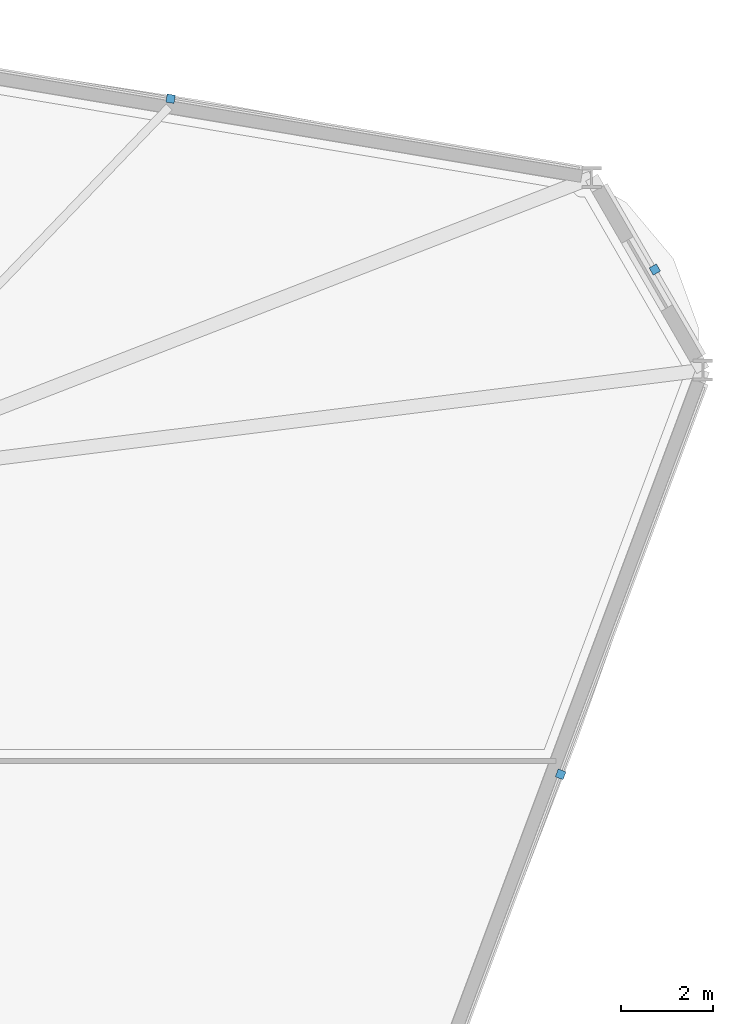
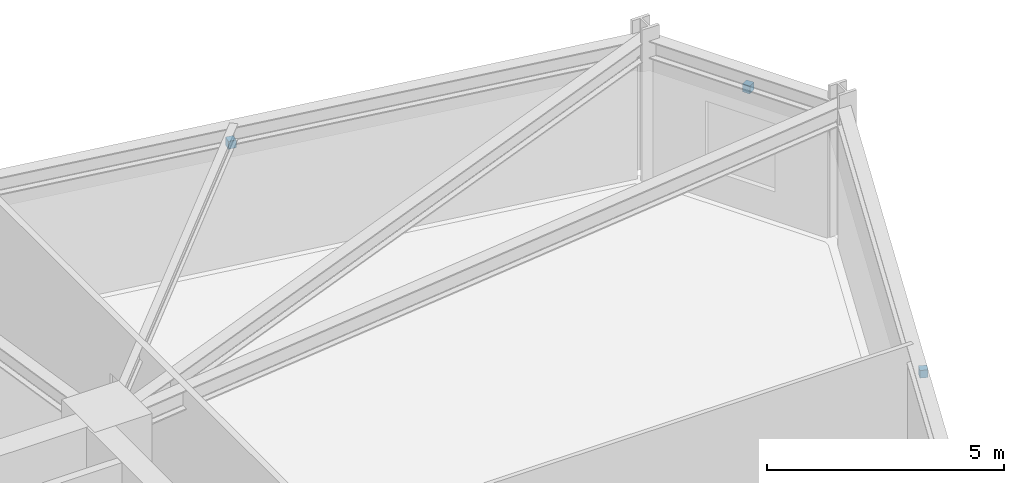
# One storey, part 19 of 22: 3 discrete accessories.
"""IFC4 building model written with IfcOpenShell, lengths in metres."""

from ifc_helpers import new_model, si_unit, derived_unit, direction, frame, origin, origin_2d, place, context, subcontext, project, spatial, rectangle, extrude, source, transform, mapped, material, type_object, element, save


model = new_model("IFC4")

# Units and contexts
model_context = context("Model", 3, precision=1e-05, world=origin(), true_north=direction((0.0, 1.0)))
body_context = subcontext(model_context, "Body", "Model", "MODEL_VIEW")
ifc_project = project(units=[si_unit("LENGTHUNIT", "METRE"), si_unit("AREAUNIT", "SQUARE_METRE"), si_unit("VOLUMEUNIT", "CUBIC_METRE"), si_unit("PLANEANGLEUNIT", "RADIAN"), si_unit("MASSUNIT", "GRAM", prefix="KILO"), derived_unit("THERMALTRANSMITTANCEUNIT", [(si_unit("POWERUNIT", "WATT"), 1), (si_unit("LENGTHUNIT", "METRE"), -2), (si_unit("THERMODYNAMICTEMPERATUREUNIT", "KELVIN"), -1)])], contexts=[model_context])

# Site, building, storey
site_placement = place(None, origin())
site = spatial("IfcSite", under=ifc_project, at=site_placement, CompositionType="ELEMENT")
building_placement = place(site_placement, origin())
building = spatial("IfcBuilding", under=site, at=building_placement, Name="Korsvarv Bourse and Concert Hall", CompositionType="ELEMENT")
storey_placement = place(building_placement, frame((0.0, 0.0, 55.199951171875)))
storey = spatial("IfcBuildingStorey", under=building, at=storey_placement, Name="L13", CompositionType="ELEMENT", Elevation=55.199951171875)

# Discrete accessories
ifc_material = material(Name="Stainless Steel S355 facade outrigger bracket", Category="steel")
discrete_accessory_type = type_object("IfcDiscreteAccessoryType", Name="ACC-BRK-1", PredefinedType="BRACKET", material=ifc_material)
shared_shape = source(origin(), body_context, "Body", "SweptSolid", [
    extrude(rectangle(XDim=0.179931640625, YDim=0.179931640625, at=origin_2d()), origin(), (0.0, 0.0, 1.0), 0.199951171875),
])
for number, where, z_axis, x_axis, name in (
    (1, (63.436279296875, 51.840576171875, 2.85009765625), (0.0, 0.0, 1.0), (-0.5, 0.866025403784, 0.0), "L13 terracotta sunshade bracket EW-L13-B01"),
    (2, (52.956787109375, 55.53662109375, 2.85009765625), (0.0, 0.0, 1.0), (-0.986285601537, 0.165047605861, 0.0), "L13 terracotta sunshade bracket EW-L13-B02"),
    (3, (61.3974609375, 40.916748046875, 2.85009765625), (0.0, 0.0, 1.0), (0.350207381259, 0.936672189248, 0.0), "L13 terracotta sunshade bracket EW-L13-B12"),
):
    element("IfcDiscreteAccessory", number, at=place(storey_placement, frame(where, z_axis=z_axis, x_axis=x_axis)), inside=storey, type_object=discrete_accessory_type, Name=name, PredefinedType="BRACKET", context=body_context, shape_type="MappedRepresentation", body=[
        mapped(shared_shape, transform((0.0, 0.0, 0.0), scale=1.0)),
    ])

save(model, "model.ifc")
